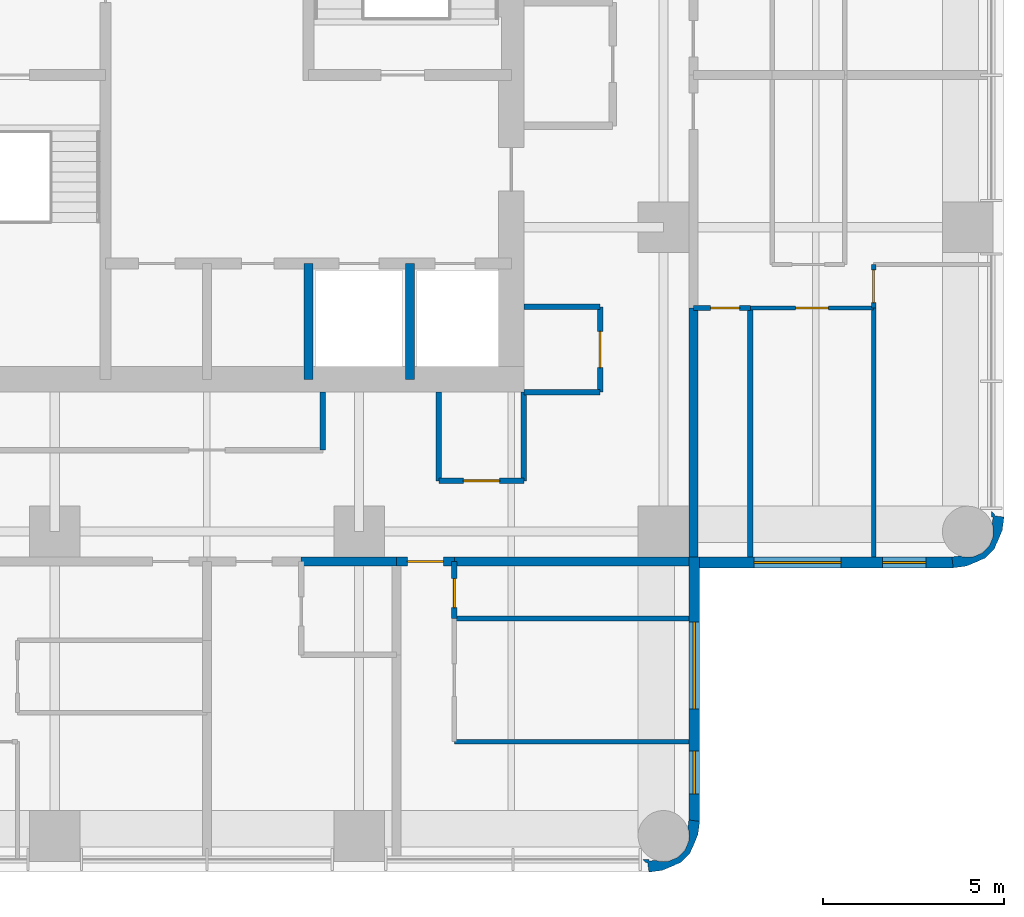
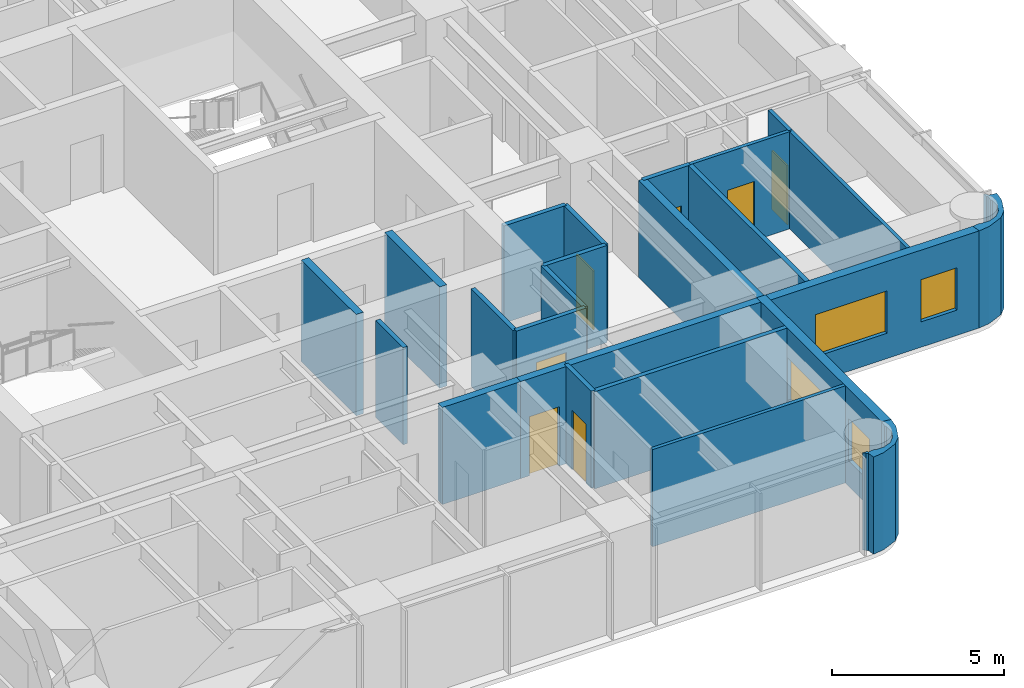
# One storey, part 7 of 11: 25 walls, 7 doors, 4 windows, 11 openings.
"""IFC4 building model written with IfcOpenShell, lengths in metres."""

from ifc_helpers import new_model, si_unit, direction, frame, frame_2d, origin, place, context, subcontext, project, spatial, polyline, rectangle, outline, extrude, material, layer, layer_set, type_object, element, fill, save


model = new_model("IFC4")

# Units and contexts
model_context = context("Model", 3, precision=1e-05, world=origin(), true_north=direction((0.0, 1.0)))
body_context = subcontext(model_context, "Body", "Model", "MODEL_VIEW")
ifc_project = project(units=[si_unit("LENGTHUNIT", "METRE"), si_unit("AREAUNIT", "SQUARE_METRE"), si_unit("VOLUMEUNIT", "CUBIC_METRE"), si_unit("PLANEANGLEUNIT", "RADIAN"), si_unit("MASSUNIT", "GRAM", prefix="KILO")], contexts=[model_context])

# Site, building, storey
site_placement = place(None, origin())
site = spatial("IfcSite", under=ifc_project, at=site_placement, CompositionType="ELEMENT")
building_placement = place(site_placement, origin())
building = spatial("IfcBuilding", under=site, at=building_placement, Name="Torre Alcanfor", CompositionType="ELEMENT")
storey_placement = place(building_placement, frame((0.0, 0.0, 201.300048828125)))
storey = spatial("IfcBuildingStorey", under=building, at=storey_placement, Name="L52", CompositionType="ELEMENT", Elevation=201.300048828125)

# Walls
ifc_material_1 = material(Name="Concrete block masonry, hollow blocks NMX-C-404 9 MPa", Category="masonry")
ifc_layer_1 = layer(ifc_material_1, 0.25)
ifc_layer_set_1 = layer_set([ifc_layer_1], Name="Apartment entrance wall 250 EI 60")
wall_type_1 = type_object("IfcWallType", Name="Apartment entrance wall 250 EI 60", PredefinedType="PARTITIONING", material=ifc_layer_set_1)
wall_1_placement = place(storey_placement, frame((42.824951171875, 22.970947265625, 0.0), z_axis=(0.0, 0.0, 1.0), x_axis=(0.0, -1.0, 0.0)))
element("IfcWall", 1, at=wall_1_placement, inside=storey, type_object=wall_type_1, Name="Partition L52-CORR / L52-E2-BATH", PredefinedType="PARTITIONING", context=body_context, shape_type="SweptSolid", body=[
    extrude(rectangle(XDim=6.870849609375, YDim=0.25, at=frame_2d((3.435546875, 0.0))), origin(), (0.0, 0.0, 1.0), 3.449951171875),
])
wall_2_placement = place(storey_placement, frame((34.62890625, 15.97509765625, 0.0), z_axis=(0.0, 0.0, 1.0), x_axis=(-1.0, 0.0, 0.0)))
element("IfcWall", 2, at=wall_2_placement, inside=storey, type_object=wall_type_1, Name="Partition L52-CORR / L52-S1A-BATH", PredefinedType="PARTITIONING", context=body_context, shape_type="SweptSolid", body=[
    extrude(rectangle(XDim=2.62890625, YDim=0.25, at=frame_2d((1.314453125, 0.0))), origin(), (0.0, 0.0, 1.0), 3.449951171875),
])

# Wall, opening, door
wall_3_placement = place(storey_placement, frame((36.22900390625, 15.97509765625, 0.0), z_axis=(0.0, 0.0, 1.0), x_axis=(-1.0, 0.0, 0.0)))
wall_3 = element("IfcWall", 3, at=wall_3_placement, inside=storey, type_object=wall_type_1, Name="Partition L52-CORR / L52-S1B-LIVING", PredefinedType="PARTITIONING", context=body_context, shape_type="SweptSolid", body=[
    extrude(rectangle(XDim=1.60009765625, YDim=0.25, at=frame_2d((0.800048828125, 0.0))), origin(), (0.0, 0.0, 1.0), 3.449951171875),
])
opening_1_placement = place(wall_3_placement, frame((0.300048828125, 0.0, 0.0)))
opening_1 = element("IfcOpeningElement", 4, at=opening_1_placement, cuts=wall_3, Name="Opening D-A1", PredefinedType="OPENING", context=body_context, shape_type="SweptSolid", body=[
    extrude(rectangle(XDim=1.0, YDim=2.10009765625, at=frame_2d((0.5, 1.050048828125))), frame((0.0, 0.135009765625, 0.0), z_axis=(0.0, -1.0, 0.0), x_axis=(1.0, 0.0, 0.0)), (0.0, 0.0, 1.0), 0.27001953125),
])
ifc_material_2 = material(Name="Galvanised steel sheet ASTM A653", Category="steel")
door_type_1 = type_object("IfcDoorType", Name="Apartment entrance door FD60 1000x2100", OperationType="SINGLE_SWING_LEFT", PredefinedType="DOOR", material=ifc_material_2)
door_1_placement = place(opening_1_placement, origin())
door_1 = element("IfcDoor", 5, at=door_1_placement, inside=storey, type_object=door_type_1, Name="Apartment entrance L52-S1B", OperationType="SINGLE_SWING_LEFT", OverallHeight=2.10009765625, OverallWidth=1.0, PredefinedType="DOOR", context=body_context, shape_type="SweptSolid", body=[
    extrude(rectangle(XDim=1.0, YDim=2.10009765625, at=frame_2d((0.5, 1.050048828125))), frame((0.0, 0.02490234375, 0.0), z_axis=(0.0, -1.0, 0.0), x_axis=(1.0, 0.0, 0.0)), (0.0, 0.0, 1.0), 0.050048828125),
])
fill(opening_1, door_1)

# Wall
wall_4_placement = place(storey_placement, frame((42.699951171875, 15.97509765625, 0.0), z_axis=(0.0, 0.0, 1.0), x_axis=(-1.0, 0.0, 0.0)))
element("IfcWall", 6, at=wall_4_placement, inside=storey, type_object=wall_type_1, Name="Partition L52-CORR / L52-S1B-BATH", PredefinedType="PARTITIONING", context=body_context, shape_type="SweptSolid", body=[
    extrude(rectangle(XDim=6.470947265625, YDim=0.25, at=frame_2d((3.2353515625, 0.0))), origin(), (0.0, 0.0, 1.0), 3.449951171875),
])

# Wall, opening, door
ifc_material_3 = material(Name="Gypsum board on steel studs", Category="steel")
ifc_layer_2 = layer(ifc_material_3, 0.1201171875)
ifc_layer_set_2 = layer_set([ifc_layer_2], Name="Apartment partition 120")
wall_type_2 = type_object("IfcWallType", Name="Apartment partition 120", PredefinedType="PARTITIONING", material=ifc_layer_set_2)
wall_5_placement = place(storey_placement, frame((47.800048828125, 22.970947265625, 0.0), z_axis=(0.0, 0.0, 1.0), x_axis=(-1.0, 0.0, 0.0)))
wall_5 = element("IfcWall", 7, at=wall_5_placement, inside=storey, type_object=wall_type_2, Name="Partition L52-E2-LIVING / L52-E2-STUDY", PredefinedType="PARTITIONING", context=body_context, shape_type="SweptSolid", body=[
    extrude(rectangle(XDim=3.400146484375, YDim=0.1201171875, at=frame_2d((1.7001953125, 0.0))), origin(), (0.0, 0.0, 1.0), 3.449951171875),
])
opening_2_placement = place(wall_5_placement, frame((1.25, 0.0, 0.0)))
opening_2 = element("IfcOpeningElement", 8, at=opening_2_placement, cuts=wall_5, Name="Opening D-R1", PredefinedType="OPENING", context=body_context, shape_type="SweptSolid", body=[
    extrude(rectangle(XDim=0.89990234375, YDim=2.10009765625, at=frame_2d((0.449951171875, 1.050048828125))), frame((0.0, 0.070068359375, 0.0), z_axis=(0.0, -1.0, 0.0), x_axis=(1.0, 0.0, 0.0)), (0.0, 0.0, 1.0), 0.14013671875),
])
ifc_material_4 = material(Name="Timber", Category="wood")
door_type_2 = type_object("IfcDoorType", Name="Internal door 900x2100", OperationType="SINGLE_SWING_LEFT", PredefinedType="DOOR", material=ifc_material_4)
door_2_placement = place(opening_2_placement, origin())
door_2 = element("IfcDoor", 9, at=door_2_placement, inside=storey, type_object=door_type_2, Name="Door L52-E2 study", OperationType="SINGLE_SWING_LEFT", OverallHeight=2.10009765625, OverallWidth=0.89990234375, PredefinedType="DOOR", context=body_context, shape_type="SweptSolid", body=[
    extrude(rectangle(XDim=0.89990234375, YDim=2.10009765625, at=frame_2d((0.449951171875, 1.050048828125))), frame((0.0, 0.02490234375, 0.0), z_axis=(0.0, -1.0, 0.0), x_axis=(1.0, 0.0, 0.0)), (0.0, 0.0, 1.0), 0.050048828125),
])
fill(opening_2, door_2)

wall_6_placement = place(storey_placement, frame((47.800048828125, 24.1708984375, 0.0), z_axis=(0.0, 0.0, 1.0), x_axis=(0.0, -1.0, 0.0)))
wall_6 = element("IfcWall", 10, at=wall_6_placement, inside=storey, type_object=wall_type_2, Name="Partition L52-E2-LIVING / L52-E2-MASTER", PredefinedType="PARTITIONING", context=body_context, shape_type="SweptSolid", body=[
    extrude(rectangle(XDim=1.199951171875, YDim=0.1201171875, at=frame_2d((0.60009765625, 0.0))), origin(), (0.0, 0.0, 1.0), 3.449951171875),
])
opening_3_placement = place(wall_6_placement, frame((0.15087890625, 0.0, 0.0)))
opening_3 = element("IfcOpeningElement", 11, at=opening_3_placement, cuts=wall_6, Name="Opening D-R1", PredefinedType="OPENING", context=body_context, shape_type="SweptSolid", body=[
    extrude(rectangle(XDim=0.89990234375, YDim=2.10009765625, at=frame_2d((0.449951171875, 1.050048828125))), frame((0.0, 0.070068359375, 0.0), z_axis=(0.0, -1.0, 0.0), x_axis=(1.0, 0.0, 0.0)), (0.0, 0.0, 1.0), 0.14013671875),
])
door_3_placement = place(opening_3_placement, origin())
door_3 = element("IfcDoor", 12, at=door_3_placement, inside=storey, type_object=door_type_2, Name="Door L52-E2 master", OperationType="SINGLE_SWING_LEFT", OverallHeight=2.10009765625, OverallWidth=0.89990234375, PredefinedType="DOOR", context=body_context, shape_type="SweptSolid", body=[
    extrude(rectangle(XDim=0.89990234375, YDim=2.10009765625, at=frame_2d((0.449951171875, 1.050048828125))), frame((0.0, 0.02490234375, 0.0), z_axis=(0.0, -1.0, 0.0), x_axis=(1.0, 0.0, 0.0)), (0.0, 0.0, 1.0), 0.050048828125),
])
fill(opening_3, door_3)

# Walls
wall_7_placement = place(storey_placement, frame((47.800048828125, 22.970947265625, 0.0), z_axis=(0.0, 0.0, 1.0), x_axis=(0.0, -1.0, 0.0)))
element("IfcWall", 13, at=wall_7_placement, inside=storey, type_object=wall_type_2, Name="Partition L52-E2-STUDY / L52-E2-MASTER", PredefinedType="PARTITIONING", context=body_context, shape_type="SweptSolid", body=[
    extrude(rectangle(XDim=6.870849609375, YDim=0.1201171875, at=frame_2d((3.435546875, 0.0))), origin(), (0.0, 0.0, 1.0), 3.449951171875),
])
wall_8_placement = place(storey_placement, frame((36.22900390625, 11.0, 0.0), z_axis=(0.0, 0.0, 1.0), x_axis=(1.0, 0.0, 0.0)))
element("IfcWall", 14, at=wall_8_placement, inside=storey, type_object=wall_type_2, Name="Partition L52-S1B-LIVING / L52-S1B-MASTER", PredefinedType="PARTITIONING", context=body_context, shape_type="SweptSolid", body=[
    extrude(rectangle(XDim=6.470947265625, YDim=0.1201171875, at=frame_2d((3.2353515625, 0.0))), origin(), (0.0, 0.0, 1.0), 3.449951171875),
])
ifc_material_5 = material(Name="Concrete f'c 70 MPa", Category="concrete")
ifc_layer_3 = layer(ifc_material_5, 0.25)
ifc_layer_set_3 = layer_set([ifc_layer_3], Name="Core shaft wall 250 f'c70")
wall_type_3 = type_object("IfcWallType", Name="Core shaft wall 250 f'c70", PredefinedType="SHEAR", material=ifc_layer_set_3)
for number, where, z_axis, x_axis, name in (
    (15, (32.199951171875, 21.0, 0.0), (0.0, 0.0, 1.0), (0.0, 1.0, 0.0), "Core wall X322S L52"),
    (16, (35.0, 21.0, 0.0), (0.0, 0.0, 1.0), (0.0, 1.0, 0.0), "Core wall X350S L52"),
):
    element("IfcWall", number, at=place(storey_placement, frame(where, z_axis=z_axis, x_axis=x_axis)), inside=storey, type_object=wall_type_3, Name=name, PredefinedType="SHEAR", context=body_context, shape_type="SweptSolid", body=[
        extrude(rectangle(XDim=3.199951171875, YDim=0.25, at=frame_2d((1.60009765625, 0.0))), origin(), (0.0, 0.0, 1.0), 3.599853515625),
    ])

# Wall, openings, windows
ifc_material_6 = material(Name="Limestone cladding", Category="masonry")
ifc_layer_4 = layer(ifc_material_6, 0.0400390625, Name="Facing")
ifc_material_7 = material(Name="Ventilated air cavity")
ifc_layer_5 = layer(ifc_material_7, 0.02001953125, ventilated=True, Name="Ventilated joint")
ifc_material_8 = material(Name="Mineral wool insulation", Category="insulation")
ifc_layer_6 = layer(ifc_material_8, 0.10009765625, Name="Insulation")
ifc_material_9 = material(Name="Concrete f'c 35 MPa", Category="concrete")
ifc_layer_7 = layer(ifc_material_9, 0.139892578125, Name="Backing")
ifc_layer_set_4 = layer_set([ifc_layer_4, ifc_layer_5, ifc_layer_6, ifc_layer_7], Name="External wall stone-clad 300")
wall_type_4 = type_object("IfcWallType", Name="External wall stone-clad 300", PredefinedType="SOLIDWALL", material=ifc_layer_set_4)
wall_9_placement = place(storey_placement, frame((42.85009765625, 8.800048828125, 0.0), z_axis=(0.0, 0.0, 1.0), x_axis=(0.0, 1.0, 0.0)))
wall_9 = element("IfcWall", 17, at=wall_9_placement, inside=storey, type_object=wall_type_4, Name="External wall L52 6", PredefinedType="SOLIDWALL", context=body_context, shape_type="SweptSolid", body=[
    extrude(rectangle(XDim=7.300048828125, YDim=0.300048828125, at=frame_2d((3.64990234375, 0.0))), origin(), (0.0, 0.0, 1.0), 3.449951171875),
])
opening_4_placement = place(wall_9_placement, frame((3.10009765625, 0.0, 0.89990234375)))
opening_4 = element("IfcOpeningElement", 18, at=opening_4_placement, cuts=wall_9, Name="Opening W1", PredefinedType="OPENING", context=body_context, shape_type="SweptSolid", body=[
    extrude(rectangle(XDim=2.39990234375, YDim=1.5, at=frame_2d((1.199951171875, 0.75))), frame((0.0, 0.159912109375, 0.0), z_axis=(0.0, -1.0, 0.0), x_axis=(1.0, 0.0, 0.0)), (0.0, 0.0, 1.0), 0.320068359375),
])
opening_5_placement = place(wall_9_placement, frame((0.75, 0.0, 0.89990234375)))
opening_5 = element("IfcOpeningElement", 19, at=opening_5_placement, cuts=wall_9, Name="Opening W4", PredefinedType="OPENING", context=body_context, shape_type="SweptSolid", body=[
    extrude(rectangle(XDim=1.199951171875, YDim=1.5, at=frame_2d((0.60009765625, 0.75))), frame((0.0, 0.159912109375, 0.0), z_axis=(0.0, -1.0, 0.0), x_axis=(1.0, 0.0, 0.0)), (0.0, 0.0, 1.0), 0.320068359375),
])
ifc_material_10 = material(Name="Aluminium frame with clear double glazing", Category="aluminium")
window_type_1 = type_object("IfcWindowType", Name="Window bedroom 1200x1500", PartitioningType="SINGLE_PANEL", PredefinedType="WINDOW", material=ifc_material_10)
window_1_placement = place(opening_5_placement, origin())
window_1 = element("IfcWindow", 20, at=window_1_placement, inside=storey, type_object=window_type_1, Name="Window W4 L52-S1", OverallHeight=1.5, OverallWidth=1.199951171875, PartitioningType="SINGLE_PANEL", PredefinedType="WINDOW", context=body_context, shape_type="SweptSolid", body=[
    extrude(rectangle(XDim=1.199951171875, YDim=1.5, at=frame_2d((0.60009765625, 0.75))), frame((0.0, 0.030029296875, 0.0), z_axis=(0.0, -1.0, 0.0), x_axis=(1.0, 0.0, 0.0)), (0.0, 0.0, 1.0), 0.06005859375),
])
fill(opening_5, window_1)
ifc_material_11 = material(Name="Aluminium frame with clear double glazing", Category="aluminium")
window_type_2 = type_object("IfcWindowType", Name="Window bedroom 2400x1500", PartitioningType="SINGLE_PANEL", PredefinedType="WINDOW", material=ifc_material_11)
window_2_placement = place(opening_4_placement, origin())
window_2 = element("IfcWindow", 21, at=window_2_placement, inside=storey, type_object=window_type_2, Name="Window W1 L52-S1", OverallHeight=1.5, OverallWidth=2.39990234375, PartitioningType="SINGLE_PANEL", PredefinedType="WINDOW", context=body_context, shape_type="SweptSolid", body=[
    extrude(rectangle(XDim=2.39990234375, YDim=1.5, at=frame_2d((1.199951171875, 0.75))), frame((0.0, 0.030029296875, 0.0), z_axis=(0.0, -1.0, 0.0), x_axis=(1.0, 0.0, 0.0)), (0.0, 0.0, 1.0), 0.06005859375),
])
fill(opening_4, window_2)

wall_10_placement = place(storey_placement, frame((43.0, 15.949951171875, 0.0), z_axis=(0.0, 0.0, 1.0), x_axis=(1.0, 0.0, 0.0)))
wall_10 = element("IfcWall", 22, at=wall_10_placement, inside=storey, type_object=wall_type_4, Name="External wall L52 7", PredefinedType="SOLIDWALL", context=body_context, shape_type="SweptSolid", body=[
    extrude(rectangle(XDim=7.0, YDim=0.300048828125, at=frame_2d((3.5, 0.0))), origin(), (0.0, 0.0, 1.0), 3.449951171875),
])
opening_6_placement = place(wall_10_placement, frame((1.5, 0.0, 0.89990234375)))
opening_6 = element("IfcOpeningElement", 23, at=opening_6_placement, cuts=wall_10, Name="Opening W1", PredefinedType="OPENING", context=body_context, shape_type="SweptSolid", body=[
    extrude(rectangle(XDim=2.39990234375, YDim=1.5, at=frame_2d((1.199951171875, 0.75))), frame((0.0, 0.159912109375, 0.0), z_axis=(0.0, -1.0, 0.0), x_axis=(1.0, 0.0, 0.0)), (0.0, 0.0, 1.0), 0.320068359375),
])
opening_7_placement = place(wall_10_placement, frame((5.050048828125, 0.0, 0.89990234375)))
opening_7 = element("IfcOpeningElement", 24, at=opening_7_placement, cuts=wall_10, Name="Opening W4", PredefinedType="OPENING", context=body_context, shape_type="SweptSolid", body=[
    extrude(rectangle(XDim=1.199951171875, YDim=1.5, at=frame_2d((0.60009765625, 0.75))), frame((0.0, 0.159912109375, 0.0), z_axis=(0.0, -1.0, 0.0), x_axis=(1.0, 0.0, 0.0)), (0.0, 0.0, 1.0), 0.320068359375),
])
window_3_placement = place(opening_7_placement, origin())
window_3 = element("IfcWindow", 25, at=window_3_placement, inside=storey, type_object=window_type_1, Name="Window W4 L52-E2", OverallHeight=1.5, OverallWidth=1.199951171875, PartitioningType="SINGLE_PANEL", PredefinedType="WINDOW", context=body_context, shape_type="SweptSolid", body=[
    extrude(rectangle(XDim=1.199951171875, YDim=1.5, at=frame_2d((0.60009765625, 0.75))), frame((0.0, 0.030029296875, 0.0), z_axis=(0.0, -1.0, 0.0), x_axis=(1.0, 0.0, 0.0)), (0.0, 0.0, 1.0), 0.06005859375),
])
fill(opening_7, window_3)
window_4_placement = place(opening_6_placement, origin())
window_4 = element("IfcWindow", 26, at=window_4_placement, inside=storey, type_object=window_type_2, Name="Window W1 L52-E2", OverallHeight=1.5, OverallWidth=2.39990234375, PartitioningType="SINGLE_PANEL", PredefinedType="WINDOW", context=body_context, shape_type="SweptSolid", body=[
    extrude(rectangle(XDim=2.39990234375, YDim=1.5, at=frame_2d((1.199951171875, 0.75))), frame((0.0, 0.030029296875, 0.0), z_axis=(0.0, -1.0, 0.0), x_axis=(1.0, 0.0, 0.0)), (0.0, 0.0, 1.0), 0.06005859375),
])
fill(opening_6, window_4)

# Wall
ifc_material_12 = material(Name="Concrete block masonry, hollow blocks NMX-C-404 9 MPa", Category="masonry")
ifc_layer_8 = layer(ifc_material_12, 0.14990234375)
ifc_layer_set_5 = layer_set([ifc_layer_8], Name="Residents' room partition 150")
wall_type_5 = type_object("IfcWallType", Name="Residents' room partition 150", PredefinedType="PARTITIONING", material=ifc_layer_set_5)
wall_11_placement = place(storey_placement, frame((38.14990234375, 20.64990234375, 0.0), z_axis=(0.0, 0.0, 1.0), x_axis=(1.0, 0.0, 0.0)))
element("IfcWall", 27, at=wall_11_placement, inside=storey, type_object=wall_type_5, Name="Partition L52-CORR / L52-G03", PredefinedType="PARTITIONING", context=body_context, shape_type="SweptSolid", body=[
    extrude(rectangle(XDim=2.10009765625, YDim=0.14990234375, at=frame_2d((1.050048828125, 0.0))), origin(), (0.0, 0.0, 1.0), 3.449951171875),
])

# Wall, opening, door
wall_12_placement = place(storey_placement, frame((40.25, 20.64990234375, 0.0), z_axis=(0.0, 0.0, 1.0), x_axis=(0.0, 1.0, 0.0)))
wall_12 = element("IfcWall", 28, at=wall_12_placement, inside=storey, type_object=wall_type_5, Name="Partition L52-CORR / L52-G03", PredefinedType="PARTITIONING", context=body_context, shape_type="SweptSolid", body=[
    extrude(rectangle(XDim=2.35009765625, YDim=0.14990234375, at=frame_2d((1.175048828125, 0.0))), origin(), (0.0, 0.0, 1.0), 3.449951171875),
])
opening_8_placement = place(wall_12_placement, frame((0.675048828125, 0.0, 0.0)))
opening_8 = element("IfcOpeningElement", 29, at=opening_8_placement, cuts=wall_12, Name="Opening D-M1", PredefinedType="OPENING", context=body_context, shape_type="SweptSolid", body=[
    extrude(rectangle(XDim=1.0, YDim=2.10009765625, at=frame_2d((0.5, 1.050048828125))), frame((0.0, 0.0849609375, 0.0), z_axis=(0.0, -1.0, 0.0), x_axis=(1.0, 0.0, 0.0)), (0.0, 0.0, 1.0), 0.169921875),
])
ifc_material_13 = material(Name="Timber", Category="wood")
door_type_3 = type_object("IfcDoorType", Name="Residents' room door 1000x2100", OperationType="SINGLE_SWING_LEFT", PredefinedType="DOOR", material=ifc_material_13)
door_4_placement = place(opening_8_placement, origin())
door_4 = element("IfcDoor", 30, at=door_4_placement, inside=storey, type_object=door_type_3, Name="Door L52-G03 parcel room", OperationType="SINGLE_SWING_LEFT", OverallHeight=2.10009765625, OverallWidth=1.0, PredefinedType="DOOR", context=body_context, shape_type="SweptSolid", body=[
    extrude(rectangle(XDim=1.0, YDim=2.10009765625, at=frame_2d((0.5, 1.050048828125))), frame((0.0, 0.02490234375, 0.0), z_axis=(0.0, -1.0, 0.0), x_axis=(1.0, 0.0, 0.0)), (0.0, 0.0, 1.0), 0.050048828125),
])
fill(opening_8, door_4)

# Walls
wall_13_placement = place(storey_placement, frame((40.25, 23.0, 0.0), z_axis=(0.0, 0.0, 1.0), x_axis=(-1.0, 0.0, 0.0)))
element("IfcWall", 31, at=wall_13_placement, inside=storey, type_object=wall_type_5, Name="Partition L52-CORR / L52-G03", PredefinedType="PARTITIONING", context=body_context, shape_type="SweptSolid", body=[
    extrude(rectangle(XDim=2.10009765625, YDim=0.14990234375, at=frame_2d((1.050048828125, 0.0))), origin(), (0.0, 0.0, 1.0), 3.449951171875),
])
wall_14_placement = place(storey_placement, frame((32.60009765625, 19.050048828125, 0.0), z_axis=(0.0, 0.0, 1.0), x_axis=(0.0, 1.0, 0.0)))
element("IfcWall", 32, at=wall_14_placement, inside=storey, type_object=wall_type_5, Name="Partition L52-CORR / L52-G05", PredefinedType="PARTITIONING", context=body_context, shape_type="SweptSolid", body=[
    extrude(rectangle(XDim=1.599853515625, YDim=0.14990234375, at=frame_2d((0.7998046875, 0.0))), origin(), (0.0, 0.0, 1.0), 3.449951171875),
])
wall_15_placement = place(storey_placement, frame((35.800048828125, 20.64990234375, 0.0), z_axis=(0.0, 0.0, 1.0), x_axis=(0.0, -1.0, 0.0)))
element("IfcWall", 33, at=wall_15_placement, inside=storey, type_object=wall_type_5, Name="Partition L52-CORR / L52-G06", PredefinedType="PARTITIONING", context=body_context, shape_type="SweptSolid", body=[
    extrude(rectangle(XDim=2.449951171875, YDim=0.14990234375, at=frame_2d((1.22509765625, 0.0))), origin(), (0.0, 0.0, 1.0), 3.449951171875),
])

# Wall, opening, door
wall_16_placement = place(storey_placement, frame((35.800048828125, 18.199951171875, 0.0), z_axis=(0.0, 0.0, 1.0), x_axis=(1.0, 0.0, 0.0)))
wall_16 = element("IfcWall", 34, at=wall_16_placement, inside=storey, type_object=wall_type_5, Name="Partition L52-CORR / L52-G06", PredefinedType="PARTITIONING", context=body_context, shape_type="SweptSolid", body=[
    extrude(rectangle(XDim=2.349853515625, YDim=0.14990234375, at=frame_2d((1.1748046875, 0.0))), origin(), (0.0, 0.0, 1.0), 3.449951171875),
])
opening_9_placement = place(wall_16_placement, frame((0.675048828125, 0.0, 0.0)))
opening_9 = element("IfcOpeningElement", 35, at=opening_9_placement, cuts=wall_16, Name="Opening D-M1", PredefinedType="OPENING", context=body_context, shape_type="SweptSolid", body=[
    extrude(rectangle(XDim=1.0, YDim=2.10009765625, at=frame_2d((0.5, 1.050048828125))), frame((0.0, 0.0849609375, 0.0), z_axis=(0.0, -1.0, 0.0), x_axis=(1.0, 0.0, 0.0)), (0.0, 0.0, 1.0), 0.169921875),
])
door_5_placement = place(opening_9_placement, origin())
door_5 = element("IfcDoor", 36, at=door_5_placement, inside=storey, type_object=door_type_3, Name="Door L52-G06 cleaners' store", OperationType="SINGLE_SWING_LEFT", OverallHeight=2.10009765625, OverallWidth=1.0, PredefinedType="DOOR", context=body_context, shape_type="SweptSolid", body=[
    extrude(rectangle(XDim=1.0, YDim=2.10009765625, at=frame_2d((0.5, 1.050048828125))), frame((0.0, 0.02490234375, 0.0), z_axis=(0.0, -1.0, 0.0), x_axis=(1.0, 0.0, 0.0)), (0.0, 0.0, 1.0), 0.050048828125),
])
fill(opening_9, door_5)

# Walls
wall_17_placement = place(storey_placement, frame((38.14990234375, 18.199951171875, 0.0), z_axis=(0.0, 0.0, 1.0), x_axis=(0.0, 1.0, 0.0)))
element("IfcWall", 37, at=wall_17_placement, inside=storey, type_object=wall_type_5, Name="Partition L52-CORR / L52-G06", PredefinedType="PARTITIONING", context=body_context, shape_type="SweptSolid", body=[
    extrude(rectangle(XDim=2.449951171875, YDim=0.14990234375, at=frame_2d((1.22509765625, 0.0))), origin(), (0.0, 0.0, 1.0), 3.449951171875),
])
ifc_layer_9 = layer(ifc_material_6, 0.0400390625, Name="Facing")
ifc_layer_10 = layer(ifc_material_7, 0.02001953125, ventilated=True, Name="Ventilated joint")
ifc_layer_11 = layer(ifc_material_8, 0.10009765625, Name="Insulation")
ifc_layer_12 = layer(ifc_material_9, 0.139892578125, Name="Backing")
ifc_layer_set_6 = layer_set([ifc_layer_9, ifc_layer_10, ifc_layer_11, ifc_layer_12], Name="Rounded corner pier stone-clad 300")
wall_type_6 = type_object("IfcWallType", Name="Rounded corner pier stone-clad 300", PredefinedType="SOLIDWALL", material=ifc_layer_set_6)
wall_18_placement = place(storey_placement, frame((41.487674505, 7.81184816, 0.0), z_axis=(0.0, 0.0, 1.0), x_axis=(0.439933741929, -0.898030234854, 0.0)))
element("IfcWall", 38, at=wall_18_placement, inside=storey, type_object=wall_type_6, Name="Corner pier L52 16", PredefinedType="SOLIDWALL", context=body_context, shape_type="SweptSolid", body=[
    extrude(outline(polyline([(-0.22211106405008596, 1.79285683715578), (-0.38963046514304167, 1.5408036407584151), (-0.3716523207929293, 1.5319963734639448), (-0.19468756344442484, 1.4143112499146666), (-0.11952867709650372, 1.4095716139925836), (0.13084986982823227, 1.2869143060622759), (0.31521775375122, 1.077790939273673), (0.4056918504372342, 0.8140758848288827), (0.38808178724257975, 0.5356161745678794), (0.2654244793122719, 0.2852376276431435), (0.2089428669679142, 0.23542648619150297), (0.14753391384334946, 0.052913590909571956), (0.10500025525893722, 0.07375029645990445), (0.031856974435347366, -0.07555599991115089), (0.1375846098688884, -0.03953909720776211), (0.1818140873587874, -0.00030939302076338215), (0.41939853572309777, -0.08026947549461516), (0.5358164427032454, 0.26614260505761644), (0.5587307592354187, 0.6309028220812384), (0.5547454122460747, 0.6510699721236227), (0.5663481591314005, 0.8356895887147825), (0.4554073490163316, 1.1591818423176052), (0.33330228334154954, 1.2978396679318425), (0.3239786746038034, 1.3165440299102549), (0.08230538830534162, 1.5907138760183892), (-0.22211106405008596, 1.79285683715578)])), origin(), (0.0, 0.0, 1.0), 3.449951171875),
])
wall_19_placement = place(storey_placement, frame((50.110315272, 16.075788181, 0.0), z_axis=(0.0, 0.0, 1.0), x_axis=(0.898030234854, -0.439933741929, 0.0)))
element("IfcWall", 39, at=wall_19_placement, inside=storey, type_object=wall_type_6, Name="Corner pier L52 17", PredefinedType="SOLIDWALL", context=body_context, shape_type="SweptSolid", body=[
    extrude(outline(polyline([(0.6635309497954787, 1.5768652207279077), (0.4261657470939745, 1.4970125439527688), (0.3820436753027886, 1.5360230024769612), (0.27620863417053443, 1.5722591508431565), (0.3493519149941243, 1.422952854472101), (0.3918855735785366, 1.4437895600224335), (0.45340193240181437, 1.2610574190776962), (0.5097761390474591, 1.211465523288862), (0.6324334469777668, 0.961086976364126), (0.6500435101724213, 0.6826272661031227), (0.5595694134864071, 0.41891221165833237), (0.3749822839006132, 0.2096814391710166), (0.12460373697587725, 0.08702413124070879), (0.0497715019894753, 0.08217265535453251), (-0.12751990672054841, -0.03540062823065235), (-0.14527880540785457, -0.04410048982640973), (0.02224059568510124, -0.2961536862237746), (0.3266570480405287, -0.09401072508638375), (0.5683303343389906, 0.18015912102175058), (0.5774346974139304, 0.19875607730145015), (0.6998664144502319, 0.3373020629515939), (0.8106998188665876, 0.6610135622172228), (0.7988778263184556, 0.8455257731096697), (0.8030824189706058, 0.8658003288507671), (0.7801681024384324, 1.230560545874389), (0.6635309497954787, 1.5768652207279077)])), origin(), (0.0, 0.0, 1.0), 3.449951171875),
])

# Wall, opening, door
ifc_material_14 = material(Name="Cement board on steel studs", Category="steel")
ifc_layer_13 = layer(ifc_material_14, 0.14990234375)
ifc_layer_set_7 = layer_set([ifc_layer_13], Name="Wet area partition 150")
wall_type_7 = type_object("IfcWallType", Name="Wet area partition 150", PredefinedType="PARTITIONING", material=ifc_layer_set_7)
wall_20_placement = place(storey_placement, frame((44.39990234375, 22.970947265625, 0.0), z_axis=(0.0, 0.0, 1.0), x_axis=(-1.0, 0.0, 0.0)))
wall_20 = element("IfcWall", 40, at=wall_20_placement, inside=storey, type_object=wall_type_7, Name="Partition L52-E2-LIVING / L52-E2-BATH", PredefinedType="PARTITIONING", context=body_context, shape_type="SweptSolid", body=[
    extrude(rectangle(XDim=1.574951171875, YDim=0.14990234375, at=frame_2d((0.78759765625, 0.0))), origin(), (0.0, 0.0, 1.0), 3.449951171875),
])
opening_10_placement = place(wall_20_placement, frame((0.300048828125, 0.0, 0.0)))
opening_10 = element("IfcOpeningElement", 41, at=opening_10_placement, cuts=wall_20, Name="Opening D-R2", PredefinedType="OPENING", context=body_context, shape_type="SweptSolid", body=[
    extrude(rectangle(XDim=0.800048828125, YDim=2.10009765625, at=frame_2d((0.39990234375, 1.050048828125))), frame((0.0, 0.0849609375, 0.0), z_axis=(0.0, -1.0, 0.0), x_axis=(1.0, 0.0, 0.0)), (0.0, 0.0, 1.0), 0.169921875),
])
ifc_material_15 = material(Name="Timber", Category="wood")
door_type_4 = type_object("IfcDoorType", Name="Bathroom door 800x2100", OperationType="SINGLE_SWING_LEFT", PredefinedType="DOOR", material=ifc_material_15)
door_6_placement = place(opening_10_placement, origin())
door_6 = element("IfcDoor", 42, at=door_6_placement, inside=storey, type_object=door_type_4, Name="Door L52-E2 bath", OperationType="SINGLE_SWING_LEFT", OverallHeight=2.10009765625, OverallWidth=0.800048828125, PredefinedType="DOOR", context=body_context, shape_type="SweptSolid", body=[
    extrude(rectangle(XDim=0.800048828125, YDim=2.10009765625, at=frame_2d((0.39990234375, 1.050048828125))), frame((0.0, 0.02490234375, 0.0), z_axis=(0.0, -1.0, 0.0), x_axis=(1.0, 0.0, 0.0)), (0.0, 0.0, 1.0), 0.050048828125),
])
fill(opening_10, door_6)

# Wall
wall_21_placement = place(storey_placement, frame((44.39990234375, 22.970947265625, 0.0), z_axis=(0.0, 0.0, 1.0), x_axis=(0.0, -1.0, 0.0)))
element("IfcWall", 43, at=wall_21_placement, inside=storey, type_object=wall_type_7, Name="Partition L52-E2-BATH / L52-E2-STUDY", PredefinedType="PARTITIONING", context=body_context, shape_type="SweptSolid", body=[
    extrude(rectangle(XDim=6.870849609375, YDim=0.14990234375, at=frame_2d((3.435546875, 0.0))), origin(), (0.0, 0.0, 1.0), 3.449951171875),
])

# Wall, opening, door
wall_22_placement = place(storey_placement, frame((36.22900390625, 15.97509765625, 0.0), z_axis=(0.0, 0.0, 1.0), x_axis=(0.0, -1.0, 0.0)))
wall_22 = element("IfcWall", 44, at=wall_22_placement, inside=storey, type_object=wall_type_7, Name="Partition L52-S1B-LIVING / L52-S1B-BATH", PredefinedType="PARTITIONING", context=body_context, shape_type="SweptSolid", body=[
    extrude(rectangle(XDim=1.5751953125, YDim=0.14990234375, at=frame_2d((0.78759765625, 0.0))), origin(), (0.0, 0.0, 1.0), 3.449951171875),
])
opening_11_placement = place(wall_22_placement, frame((0.47509765625, 0.0, 0.0)))
opening_11 = element("IfcOpeningElement", 45, at=opening_11_placement, cuts=wall_22, Name="Opening D-R2", PredefinedType="OPENING", context=body_context, shape_type="SweptSolid", body=[
    extrude(rectangle(XDim=0.800048828125, YDim=2.10009765625, at=frame_2d((0.39990234375, 1.050048828125))), frame((0.0, 0.0849609375, 0.0), z_axis=(0.0, -1.0, 0.0), x_axis=(1.0, 0.0, 0.0)), (0.0, 0.0, 1.0), 0.169921875),
])
door_7_placement = place(opening_11_placement, origin())
door_7 = element("IfcDoor", 46, at=door_7_placement, inside=storey, type_object=door_type_4, Name="Door L52-S1B bath", OperationType="SINGLE_SWING_RIGHT", OverallHeight=2.10009765625, OverallWidth=0.800048828125, PredefinedType="DOOR", context=body_context, shape_type="SweptSolid", body=[
    extrude(rectangle(XDim=0.800048828125, YDim=2.10009765625, at=frame_2d((0.39990234375, 1.050048828125))), frame((0.0, 0.02490234375, 0.0), z_axis=(0.0, -1.0, 0.0), x_axis=(1.0, 0.0, 0.0)), (0.0, 0.0, 1.0), 0.050048828125),
])
fill(opening_11, door_7)

# Wall
wall_23_placement = place(storey_placement, frame((36.22900390625, 14.39990234375, 0.0), z_axis=(0.0, 0.0, 1.0), x_axis=(1.0, 0.0, 0.0)))
element("IfcWall", 47, at=wall_23_placement, inside=storey, type_object=wall_type_7, Name="Partition L52-S1B-BATH / L52-S1B-MASTER", PredefinedType="PARTITIONING", context=body_context, shape_type="SweptSolid", body=[
    extrude(rectangle(XDim=6.470947265625, YDim=0.14990234375, at=frame_2d((3.2353515625, 0.0))), origin(), (0.0, 0.0, 1.0), 3.449951171875),
])

save(model, "model.ifc")
